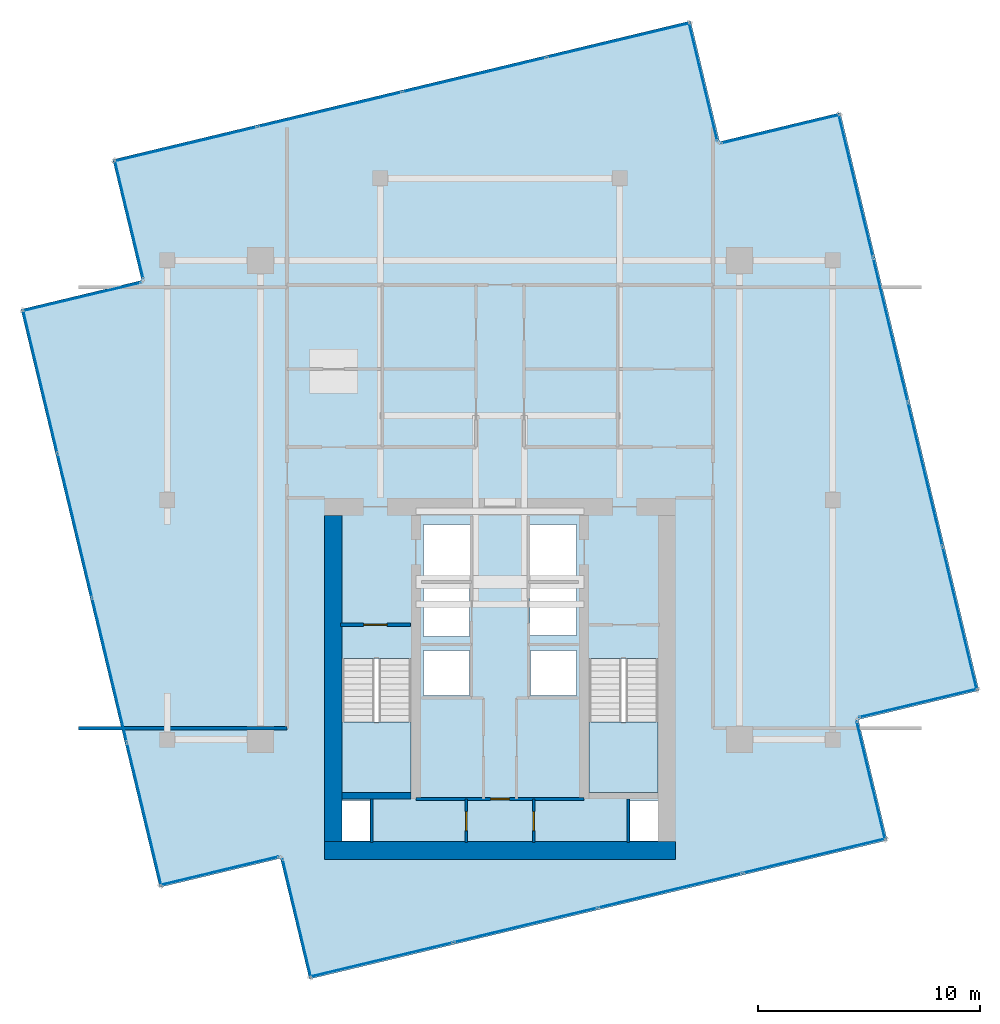
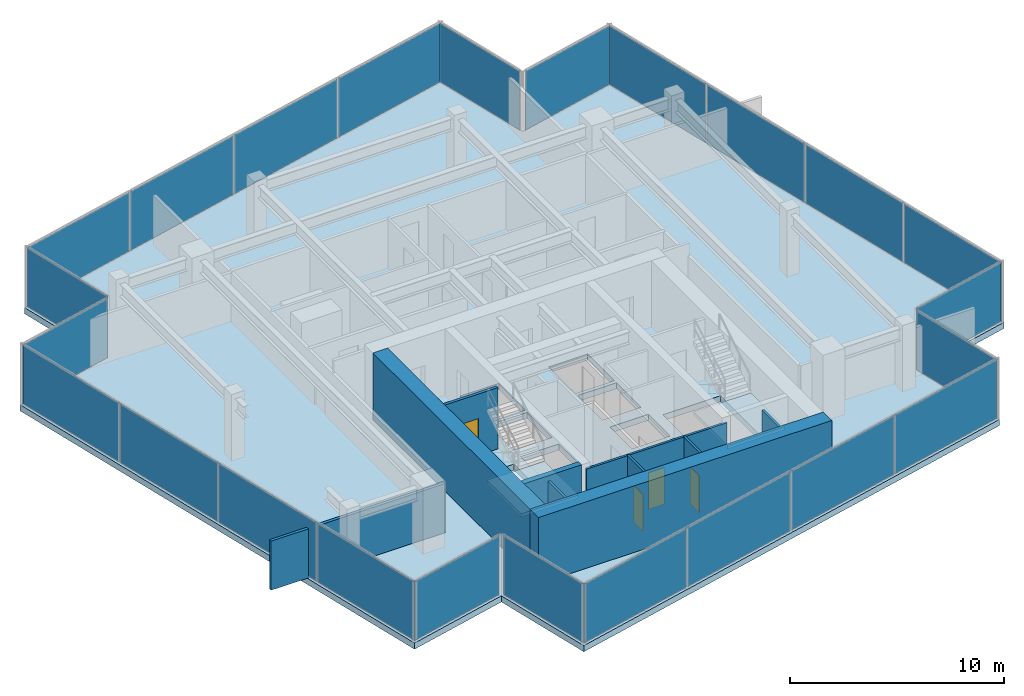
# One storey, part 16 of 19: 24 plates, 10 walls, 4 doors, 3 slabs, 4 openings, 14 elements without a shape of their own.
"""IFC4 building model written with IfcOpenShell, lengths in metres."""

from ifc_helpers import new_model, si_unit, direction, frame, frame_2d, origin, origin_2d, place, context, subcontext, project, spatial, polyline, rectangle, outline, extrude, source, transform, mapped, material, layer, layer_set, type_object, type_shapes, element, fill, aggregate, save


model = new_model("IFC4")

# Units and contexts
model_context = context("Model", 3, precision=1e-05, world=origin(), true_north=direction((0.0, 1.0)))
body_context = subcontext(model_context, "Body", "Model", "MODEL_VIEW")
ifc_project = project(units=[si_unit("LENGTHUNIT", "METRE"), si_unit("AREAUNIT", "SQUARE_METRE"), si_unit("VOLUMEUNIT", "CUBIC_METRE"), si_unit("PLANEANGLEUNIT", "RADIAN"), si_unit("MASSUNIT", "GRAM", prefix="KILO")], contexts=[model_context])

# Site, building, storey
site_placement = place(None, origin())
site = spatial("IfcSite", under=ifc_project, at=site_placement, CompositionType="ELEMENT")
building_placement = place(site_placement, origin())
building = spatial("IfcBuilding", under=site, at=building_placement, Name="Krantzveldt Concourse Tower", CompositionType="ELEMENT")
storey_placement = place(building_placement, frame((0.0, 0.0, 363.25)))
storey = spatial("IfcBuildingStorey", under=building, at=storey_placement, Name="L89", CompositionType="ELEMENT", Elevation=363.25)

# Stair, slab
ifc_material_1 = material(Name="Precast concrete C40/50", Category="concrete")
stair_type = type_object("IfcStairType", Name="STR-CORE-DOGLEG", PredefinedType="HALF_TURN_STAIR", material=ifc_material_1)
stair_1_placement = place(storey_placement, origin())
stair_1 = element("IfcStair", 1, at=stair_1_placement, inside=storey, type_object=stair_type, Name="L89 Protected Escape Stair ST-1", PredefinedType="HALF_TURN_STAIR")
ifc_layer_1 = layer(ifc_material_1, 0.199951171875, Name="Precast concrete C40/50", Category="concrete")
ifc_layer_set_1 = layer_set([ifc_layer_1], Name="Precast concrete C40/50 (SL-LANDING-200)")
slab_type_1 = type_object("IfcSlabType", Name="SL-LANDING-200", PredefinedType="LANDING", material=ifc_layer_set_1)
slab_1_placement = place(storey_placement, frame((0.0, 0.0, 1.699951171875)))
slab_1 = element("IfcSlab", 2, at=slab_1_placement, type_object=slab_type_1, Name="ST-1 landing 1", PredefinedType="LANDING", context=body_context, shape_type="SweptSolid", body=[
    extrude(outline(polyline([(28.8798828125, 16.699951171875), (28.8798828125, 13.52001953125), (31.97998046875, 13.52001953125), (31.97998046875, 16.699951171875), (28.8798828125, 16.699951171875)])), origin(), (0.0, 0.0, 1.0), 0.199951171875),
])
aggregate(stair_1, [slab_1])

stair_2_placement = place(storey_placement, origin())
stair_2 = element("IfcStair", 3, at=stair_2_placement, inside=storey, type_object=stair_type, Name="L89 Protected Escape Stair ST-2", PredefinedType="HALF_TURN_STAIR")
slab_2_placement = place(storey_placement, frame((0.0, 0.0, 1.699951171875)))
slab_2 = element("IfcSlab", 4, at=slab_2_placement, type_object=slab_type_1, Name="ST-2 landing 1", PredefinedType="LANDING", context=body_context, shape_type="SweptSolid", body=[
    extrude(outline(polyline([(40.02001953125, 16.699951171875), (40.02001953125, 13.52001953125), (43.1201171875, 13.52001953125), (43.1201171875, 16.699951171875), (40.02001953125, 16.699951171875)])), origin(), (0.0, 0.0, 1.0), 0.199951171875),
])
aggregate(stair_2, [slab_2])

# Slab
ifc_material_2 = material(Name="Concrete C40/50", Category="concrete")
ifc_layer_2 = layer(ifc_material_2, 0.300048828125, Name="Concrete C40/50", Category="concrete")
ifc_layer_set_2 = layer_set([ifc_layer_2], Name="Concrete C40/50 (SL-SL-CRN300)")
slab_type_2 = type_object("IfcSlabType", Name="SL-SL-CRN300", PredefinedType="FLOOR", material=ifc_layer_set_2)
slab_3_placement = place(storey_placement, frame((0.0, 0.0, -0.35009765625)))
element("IfcSlab", 5, at=slab_3_placement, inside=storey, type_object=slab_type_2, Name="SL-L89-BASE", PredefinedType="FLOOR", context=body_context, shape_type="SweptSolid", body=[
    extrude(outline(polyline([(45.901611328125, 42.85791015625), (44.59423828125, 48.30322265625), (18.53466796875, 42.046875), (19.842041015625, 36.6015625), (14.396728515625, 35.294189453125), (20.653076171875, 9.23486328125), (26.098388671875, 10.5419921875), (27.40576171875, 5.0966796875), (53.46533203125, 11.35302734375), (52.157958984375, 16.79833984375), (57.603271484375, 18.105712890625), (51.346923828125, 44.165283203125), (45.901611328125, 42.85791015625)]), holes=[polyline([(28.8798828125, 19.547607421875), (28.8798828125, 13.52001953125), (31.97998046875, 13.52001953125), (31.97998046875, 19.547607421875), (28.8798828125, 19.547607421875)]), polyline([(40.02001953125, 19.547607421875), (40.02001953125, 13.52001953125), (43.1201171875, 13.52001953125), (43.1201171875, 19.547607421875), (40.02001953125, 19.547607421875)]), polyline([(32.550048828125, 23.10009765625), (34.64990234375, 23.10009765625), (34.64990234375, 25.60009765625), (32.550048828125, 25.60009765625), (32.550048828125, 23.10009765625)]), polyline([(37.35009765625, 23.10009765625), (39.449951171875, 23.10009765625), (39.449951171875, 25.60009765625), (37.35009765625, 25.60009765625), (37.35009765625, 23.10009765625)]), polyline([(37.35009765625, 20.60009765625), (39.449951171875, 20.60009765625), (39.449951171875, 22.89990234375), (37.35009765625, 22.89990234375), (37.35009765625, 20.60009765625)]), polyline([(32.550048828125, 20.550048828125), (34.6201171875, 20.550048828125), (34.6201171875, 22.89990234375), (32.550048828125, 22.89990234375), (32.550048828125, 20.550048828125)]), polyline([(32.550048828125, 17.8798828125), (34.6201171875, 17.8798828125), (34.6201171875, 19.919921875), (32.550048828125, 19.919921875), (32.550048828125, 17.8798828125)]), polyline([(37.3798828125, 17.8798828125), (39.449951171875, 17.8798828125), (39.449951171875, 19.919921875), (37.3798828125, 19.919921875), (37.3798828125, 17.8798828125)]), polyline([(28.8798828125, 11.320068359375), (30.139892578125, 11.320068359375), (30.139892578125, 13.159912109375), (28.8798828125, 13.159912109375), (28.8798828125, 11.320068359375)]), polyline([(41.860107421875, 11.320068359375), (43.1201171875, 11.320068359375), (43.1201171875, 13.159912109375), (41.860107421875, 13.159912109375), (41.860107421875, 11.320068359375)])]), origin(), (0.0, 0.0, 1.0), 0.35009765625),
])

# Curtain wall, plate
ifc_material_3 = material(Name="Anodised aluminium 6063-T6", Category="aluminium")
curtain_wall_type = type_object("IfcCurtainWallType", Name="CW7", PredefinedType="USERDEFINED", material=ifc_material_3)
curtain_wall_1_placement = place(storey_placement, origin())
curtain_wall_1 = element("IfcCurtainWall", 6, at=curtain_wall_1_placement, inside=storey, type_object=curtain_wall_type, Name="CW-L89-BASE-00", ObjectType="UNITISED CURTAIN WALL", PredefinedType="USERDEFINED")
ifc_material_4 = material(Name="Bronze-tinted laminated low-E IGU glass", Category="glass")
ifc_layer_3 = layer(ifc_material_4, 0.031982421875, Name="Bronze-tinted laminated low-E IGU glass", Category="glass")
ifc_layer_set_3 = layer_set([ifc_layer_3], Name="Bronze-tinted laminated low-E IGU glass (CW-GLZ-32)")
plate_type = type_object("IfcPlateType", Name="CW-GLZ-32", PredefinedType="CURTAIN_PANEL", material=ifc_layer_set_3)
shared_shape_1 = source(origin(), body_context, "Body", "SweptSolid", [
    extrude(rectangle(XDim=5.4599609375, YDim=0.031982421875, at=origin_2d()), origin(), (0.0, 0.0, 1.0), 3.360107421875),
])
plate_1_placement = place(storey_placement, frame((45.160400390625, 45.5595703125, 0.06982421875), z_axis=(0.0, 0.0, 1.0), x_axis=(-0.233444339805, 0.97237016625, 0.0)))
plate_1 = element("IfcPlate", 7, at=plate_1_placement, type_object=plate_type, Name="CW-CRN panel 1.1", PredefinedType="CURTAIN_PANEL", context=body_context, shape_type="MappedRepresentation", body=[
    mapped(shared_shape_1, transform((0.0, 0.0, 0.0), x_axis=(1.0, 0.0, 0.0), y_axis=(0.0, 1.0, 0.0), z_axis=(0.0, 0.0, 1.0), scale=1.0)),
])
aggregate(curtain_wall_1, [plate_1])

curtain_wall_2_placement = place(storey_placement, origin())
curtain_wall_2 = element("IfcCurtainWall", 8, at=curtain_wall_2_placement, inside=storey, type_object=curtain_wall_type, Name="CW-L89-BASE-02", ObjectType="UNITISED CURTAIN WALL", PredefinedType="USERDEFINED")
plate_2_placement = place(storey_placement, frame((19.27587890625, 39.34521484375, 0.06982421875), z_axis=(0.0, 0.0, 1.0), x_axis=(0.233446433541, -0.972369663588, 0.0)))
plate_2 = element("IfcPlate", 9, at=plate_2_placement, type_object=plate_type, Name="CW-CRN panel 1.1", PredefinedType="CURTAIN_PANEL", context=body_context, shape_type="MappedRepresentation", body=[
    mapped(shared_shape_1, transform((0.0, 0.0, 0.0), x_axis=(1.0, 0.0, 0.0), y_axis=(0.0, 1.0, 0.0), z_axis=(0.0, 0.0, 1.0), scale=1.0)),
])
aggregate(curtain_wall_2, [plate_2])

curtain_wall_3_placement = place(storey_placement, origin())
curtain_wall_3 = element("IfcCurtainWall", 10, at=curtain_wall_3_placement, inside=storey, type_object=curtain_wall_type, Name="CW-L89-BASE-03", ObjectType="UNITISED CURTAIN WALL", PredefinedType="USERDEFINED")
plate_3_placement = place(storey_placement, frame((17.140380859375, 35.8603515625, 0.06982421875), z_axis=(0.0, 0.0, 1.0), x_axis=(-0.97237016625, -0.233444339805, 0.0)))
plate_3 = element("IfcPlate", 11, at=plate_3_placement, type_object=plate_type, Name="CW-CRN panel 1.1", PredefinedType="CURTAIN_PANEL", context=body_context, shape_type="MappedRepresentation", body=[
    mapped(shared_shape_1, transform((0.0, 0.0, 0.0), x_axis=(1.0, 0.0, 0.0), y_axis=(0.0, 1.0, 0.0), z_axis=(0.0, 0.0, 1.0), scale=1.0)),
])
aggregate(curtain_wall_3, [plate_3])

curtain_wall_4_placement = place(storey_placement, origin())
curtain_wall_4 = element("IfcCurtainWall", 12, at=curtain_wall_4_placement, inside=storey, type_object=curtain_wall_type, Name="CW-L89-BASE-05", ObjectType="UNITISED CURTAIN WALL", PredefinedType="USERDEFINED")
plate_4_placement = place(storey_placement, frame((23.354736328125, 9.975830078125, 0.06982421875), z_axis=(0.0, 0.0, 1.0), x_axis=(0.972369663588, 0.233446433541, 0.0)))
plate_4 = element("IfcPlate", 13, at=plate_4_placement, type_object=plate_type, Name="CW-CRN panel 1.1", PredefinedType="CURTAIN_PANEL", context=body_context, shape_type="MappedRepresentation", body=[
    mapped(shared_shape_1, transform((0.0, 0.0, 0.0), x_axis=(1.0, 0.0, 0.0), y_axis=(0.0, 1.0, 0.0), z_axis=(0.0, 0.0, 1.0), scale=1.0)),
])
aggregate(curtain_wall_4, [plate_4])

curtain_wall_5_placement = place(storey_placement, origin())
curtain_wall_5 = element("IfcCurtainWall", 14, at=curtain_wall_5_placement, inside=storey, type_object=curtain_wall_type, Name="CW-L89-BASE-06", ObjectType="UNITISED CURTAIN WALL", PredefinedType="USERDEFINED")
plate_5_placement = place(storey_placement, frame((26.839599609375, 7.84033203125, 0.06982421875), z_axis=(0.0, 0.0, 1.0), x_axis=(0.233444339805, -0.97237016625, 0.0)))
plate_5 = element("IfcPlate", 15, at=plate_5_placement, type_object=plate_type, Name="CW-CRN panel 1.1", PredefinedType="CURTAIN_PANEL", context=body_context, shape_type="MappedRepresentation", body=[
    mapped(shared_shape_1, transform((0.0, 0.0, 0.0), x_axis=(1.0, 0.0, 0.0), y_axis=(0.0, 1.0, 0.0), z_axis=(0.0, 0.0, 1.0), scale=1.0)),
])
aggregate(curtain_wall_5, [plate_5])

curtain_wall_6_placement = place(storey_placement, origin())
curtain_wall_6 = element("IfcCurtainWall", 16, at=curtain_wall_6_placement, inside=storey, type_object=curtain_wall_type, Name="CW-L89-BASE-08", ObjectType="UNITISED CURTAIN WALL", PredefinedType="USERDEFINED")
plate_6_placement = place(storey_placement, frame((52.72412109375, 14.0546875, 0.06982421875), z_axis=(0.0, 0.0, 1.0), x_axis=(-0.233446433541, 0.972369663588, 0.0)))
plate_6 = element("IfcPlate", 17, at=plate_6_placement, type_object=plate_type, Name="CW-CRN panel 1.1", PredefinedType="CURTAIN_PANEL", context=body_context, shape_type="MappedRepresentation", body=[
    mapped(shared_shape_1, transform((0.0, 0.0, 0.0), x_axis=(1.0, 0.0, 0.0), y_axis=(0.0, 1.0, 0.0), z_axis=(0.0, 0.0, 1.0), scale=1.0)),
])
aggregate(curtain_wall_6, [plate_6])

curtain_wall_7_placement = place(storey_placement, origin())
curtain_wall_7 = element("IfcCurtainWall", 18, at=curtain_wall_7_placement, inside=storey, type_object=curtain_wall_type, Name="CW-L89-BASE-09", ObjectType="UNITISED CURTAIN WALL", PredefinedType="USERDEFINED")
plate_7_placement = place(storey_placement, frame((54.859619140625, 17.53955078125, 0.06982421875), z_axis=(0.0, 0.0, 1.0), x_axis=(0.97237016625, 0.233444339805, 0.0)))
plate_7 = element("IfcPlate", 19, at=plate_7_placement, type_object=plate_type, Name="CW-CRN panel 1.1", PredefinedType="CURTAIN_PANEL", context=body_context, shape_type="MappedRepresentation", body=[
    mapped(shared_shape_1, transform((0.0, 0.0, 0.0), x_axis=(1.0, 0.0, 0.0), y_axis=(0.0, 1.0, 0.0), z_axis=(0.0, 0.0, 1.0), scale=1.0)),
])
aggregate(curtain_wall_7, [plate_7])

curtain_wall_8_placement = place(storey_placement, origin())
curtain_wall_8 = element("IfcCurtainWall", 20, at=curtain_wall_8_placement, inside=storey, type_object=curtain_wall_type, Name="CW-L89-BASE-11", ObjectType="UNITISED CURTAIN WALL", PredefinedType="USERDEFINED")
plate_8_placement = place(storey_placement, frame((48.645263671875, 43.424072265625, 0.06982421875), z_axis=(0.0, 0.0, 1.0), x_axis=(-0.972369663588, -0.233446433541, 0.0)))
plate_8 = element("IfcPlate", 21, at=plate_8_placement, type_object=plate_type, Name="CW-CRN panel 1.1", PredefinedType="CURTAIN_PANEL", context=body_context, shape_type="MappedRepresentation", body=[
    mapped(shared_shape_1, transform((0.0, 0.0, 0.0), x_axis=(1.0, 0.0, 0.0), y_axis=(0.0, 1.0, 0.0), z_axis=(0.0, 0.0, 1.0), scale=1.0)),
])
aggregate(curtain_wall_8, [plate_8])

# Curtain wall, plates
curtain_wall_9_placement = place(storey_placement, origin())
curtain_wall_9 = element("IfcCurtainWall", 22, at=curtain_wall_9_placement, inside=storey, type_object=curtain_wall_type, Name="CW-L89-BASE-01", ObjectType="UNITISED CURTAIN WALL", PredefinedType="USERDEFINED")
shared_shape_2 = source(origin(), body_context, "Body", "SweptSolid", [
    extrude(rectangle(XDim=6.594970703125, YDim=0.031982421875, at=origin_2d()), origin(), (0.0, 0.0, 1.0), 3.360107421875),
])
plate_9_placement = place(storey_placement, frame((41.3408203125, 47.429443359375, 0.06982421875), z_axis=(0.0, 0.0, 1.0), x_axis=(-0.972369896884, -0.233445461796, 0.0)))
plate_9 = element("IfcPlate", 23, at=plate_9_placement, type_object=plate_type, Name="CW-CRN panel 1.1", PredefinedType="CURTAIN_PANEL", context=body_context, shape_type="MappedRepresentation", body=[
    mapped(shared_shape_2, transform((0.0, 0.0, 0.0), x_axis=(1.0, 0.0, 0.0), y_axis=(0.0, 1.0, 0.0), z_axis=(0.0, 0.0, 1.0), scale=1.0)),
])
plate_10_placement = place(storey_placement, frame((21.830322265625, 42.745361328125, 0.06982421875), z_axis=(0.0, 0.0, 1.0), x_axis=(-0.972369896884, -0.233445461796, 0.0)))
plate_10 = element("IfcPlate", 24, at=plate_10_placement, type_object=plate_type, Name="CW-CRN panel 4.1", PredefinedType="CURTAIN_PANEL", context=body_context, shape_type="MappedRepresentation", body=[
    mapped(shared_shape_2, transform((0.0, 0.0, 0.0), x_axis=(1.0, 0.0, 0.0), y_axis=(0.0, 1.0, 0.0), z_axis=(0.0, 0.0, 1.0), scale=1.0)),
])

curtain_wall_10_placement = place(storey_placement, origin())
curtain_wall_10 = element("IfcCurtainWall", 25, at=curtain_wall_10_placement, inside=storey, type_object=curtain_wall_type, Name="CW-L89-BASE-04", ObjectType="UNITISED CURTAIN WALL", PredefinedType="USERDEFINED")
plate_11_placement = place(storey_placement, frame((15.2705078125, 32.040771484375, 0.06982421875), z_axis=(0.0, 0.0, 1.0), x_axis=(0.233445461796, -0.972369896884, 0.0)))
plate_11 = element("IfcPlate", 26, at=plate_11_placement, type_object=plate_type, Name="CW-CRN panel 1.1", PredefinedType="CURTAIN_PANEL", context=body_context, shape_type="MappedRepresentation", body=[
    mapped(shared_shape_2, transform((0.0, 0.0, 0.0), x_axis=(1.0, 0.0, 0.0), y_axis=(0.0, 1.0, 0.0), z_axis=(0.0, 0.0, 1.0), scale=1.0)),
])
plate_12_placement = place(storey_placement, frame((19.95458984375, 12.5302734375, 0.06982421875), z_axis=(0.0, 0.0, 1.0), x_axis=(0.233445461796, -0.972369896884, 0.0)))
plate_12 = element("IfcPlate", 27, at=plate_12_placement, type_object=plate_type, Name="CW-CRN panel 4.1", PredefinedType="CURTAIN_PANEL", context=body_context, shape_type="MappedRepresentation", body=[
    mapped(shared_shape_2, transform((0.0, 0.0, 0.0), x_axis=(1.0, 0.0, 0.0), y_axis=(0.0, 1.0, 0.0), z_axis=(0.0, 0.0, 1.0), scale=1.0)),
])

curtain_wall_11_placement = place(storey_placement, origin())
curtain_wall_11 = element("IfcCurtainWall", 28, at=curtain_wall_11_placement, inside=storey, type_object=curtain_wall_type, Name="CW-L89-BASE-07", ObjectType="UNITISED CURTAIN WALL", PredefinedType="USERDEFINED")
plate_13_placement = place(storey_placement, frame((30.6591796875, 5.970458984375, 0.06982421875), z_axis=(0.0, 0.0, 1.0), x_axis=(0.972369896884, 0.233445461796, 0.0)))
plate_13 = element("IfcPlate", 29, at=plate_13_placement, type_object=plate_type, Name="CW-CRN panel 1.1", PredefinedType="CURTAIN_PANEL", context=body_context, shape_type="MappedRepresentation", body=[
    mapped(shared_shape_2, transform((0.0, 0.0, 0.0), x_axis=(1.0, 0.0, 0.0), y_axis=(0.0, 1.0, 0.0), z_axis=(0.0, 0.0, 1.0), scale=1.0)),
])
plate_14_placement = place(storey_placement, frame((50.169677734375, 10.654541015625, 0.06982421875), z_axis=(0.0, 0.0, 1.0), x_axis=(0.972369896884, 0.233445461796, 0.0)))
plate_14 = element("IfcPlate", 30, at=plate_14_placement, type_object=plate_type, Name="CW-CRN panel 4.1", PredefinedType="CURTAIN_PANEL", context=body_context, shape_type="MappedRepresentation", body=[
    mapped(shared_shape_2, transform((0.0, 0.0, 0.0), x_axis=(1.0, 0.0, 0.0), y_axis=(0.0, 1.0, 0.0), z_axis=(0.0, 0.0, 1.0), scale=1.0)),
])

curtain_wall_12_placement = place(storey_placement, origin())
curtain_wall_12 = element("IfcCurtainWall", 31, at=curtain_wall_12_placement, inside=storey, type_object=curtain_wall_type, Name="CW-L89-BASE-10", ObjectType="UNITISED CURTAIN WALL", PredefinedType="USERDEFINED")
plate_15_placement = place(storey_placement, frame((56.7294921875, 21.359130859375, 0.06982421875), z_axis=(0.0, 0.0, 1.0), x_axis=(-0.233445461796, 0.972369896884, 0.0)))
plate_15 = element("IfcPlate", 32, at=plate_15_placement, type_object=plate_type, Name="CW-CRN panel 1.1", PredefinedType="CURTAIN_PANEL", context=body_context, shape_type="MappedRepresentation", body=[
    mapped(shared_shape_2, transform((0.0, 0.0, 0.0), x_axis=(1.0, 0.0, 0.0), y_axis=(0.0, 1.0, 0.0), z_axis=(0.0, 0.0, 1.0), scale=1.0)),
])
plate_16_placement = place(storey_placement, frame((52.04541015625, 40.869873046875, 0.06982421875), z_axis=(0.0, 0.0, 1.0), x_axis=(-0.233445461796, 0.972369896884, 0.0)))
plate_16 = element("IfcPlate", 33, at=plate_16_placement, type_object=plate_type, Name="CW-CRN panel 4.1", PredefinedType="CURTAIN_PANEL", context=body_context, shape_type="MappedRepresentation", body=[
    mapped(shared_shape_2, transform((0.0, 0.0, 0.0), x_axis=(1.0, 0.0, 0.0), y_axis=(0.0, 1.0, 0.0), z_axis=(0.0, 0.0, 1.0), scale=1.0)),
])

# Plate
shared_shape_3 = source(origin(), body_context, "Body", "SweptSolid", [
    extrude(rectangle(XDim=6.6298828125, YDim=0.031982421875, at=origin_2d()), origin(), (0.0, 0.0, 1.0), 3.360107421875),
])
type_shapes(plate_type, [shared_shape_1, shared_shape_2, shared_shape_3])
plate_17_placement = place(storey_placement, frame((34.843017578125, 45.86962890625, 0.06982421875), z_axis=(0.0, 0.0, 1.0), x_axis=(-0.972369896884, -0.233445461796, 0.0)))
plate_17 = element("IfcPlate", 34, at=plate_17_placement, type_object=plate_type, Name="CW-CRN panel 2.1", PredefinedType="CURTAIN_PANEL", context=body_context, shape_type="MappedRepresentation", body=[
    mapped(shared_shape_3, transform((0.0, 0.0, 0.0), x_axis=(1.0, 0.0, 0.0), y_axis=(0.0, 1.0, 0.0), z_axis=(0.0, 0.0, 1.0), scale=1.0)),
])

plate_18_placement = place(storey_placement, frame((28.328125, 44.305419921875, 0.06982421875), z_axis=(0.0, 0.0, 1.0), x_axis=(-0.972369896884, -0.233445461796, 0.0)))
plate_18 = element("IfcPlate", 35, at=plate_18_placement, type_object=plate_type, Name="CW-CRN panel 3.1", PredefinedType="CURTAIN_PANEL", context=body_context, shape_type="MappedRepresentation", body=[
    mapped(shared_shape_3, transform((0.0, 0.0, 0.0), x_axis=(1.0, 0.0, 0.0), y_axis=(0.0, 1.0, 0.0), z_axis=(0.0, 0.0, 1.0), scale=1.0)),
])

aggregate(curtain_wall_9, [plate_9, plate_17, plate_18, plate_10])

plate_19_placement = place(storey_placement, frame((16.830322265625, 25.54296875, 0.06982421875), z_axis=(0.0, 0.0, 1.0), x_axis=(0.233445461796, -0.972369896884, 0.0)))
plate_19 = element("IfcPlate", 36, at=plate_19_placement, type_object=plate_type, Name="CW-CRN panel 2.1", PredefinedType="CURTAIN_PANEL", context=body_context, shape_type="MappedRepresentation", body=[
    mapped(shared_shape_3, transform((0.0, 0.0, 0.0), x_axis=(1.0, 0.0, 0.0), y_axis=(0.0, 1.0, 0.0), z_axis=(0.0, 0.0, 1.0), scale=1.0)),
])

plate_20_placement = place(storey_placement, frame((18.39453125, 19.028076171875, 0.06982421875), z_axis=(0.0, 0.0, 1.0), x_axis=(0.233445461796, -0.972369896884, 0.0)))
plate_20 = element("IfcPlate", 37, at=plate_20_placement, type_object=plate_type, Name="CW-CRN panel 3.1", PredefinedType="CURTAIN_PANEL", context=body_context, shape_type="MappedRepresentation", body=[
    mapped(shared_shape_3, transform((0.0, 0.0, 0.0), x_axis=(1.0, 0.0, 0.0), y_axis=(0.0, 1.0, 0.0), z_axis=(0.0, 0.0, 1.0), scale=1.0)),
])

aggregate(curtain_wall_10, [plate_11, plate_19, plate_20, plate_12])

plate_21_placement = place(storey_placement, frame((37.156982421875, 7.530517578125, 0.06982421875), z_axis=(0.0, 0.0, 1.0), x_axis=(0.972369896884, 0.233445461796, 0.0)))
plate_21 = element("IfcPlate", 38, at=plate_21_placement, type_object=plate_type, Name="CW-CRN panel 2.1", PredefinedType="CURTAIN_PANEL", context=body_context, shape_type="MappedRepresentation", body=[
    mapped(shared_shape_3, transform((0.0, 0.0, 0.0), x_axis=(1.0, 0.0, 0.0), y_axis=(0.0, 1.0, 0.0), z_axis=(0.0, 0.0, 1.0), scale=1.0)),
])

plate_22_placement = place(storey_placement, frame((43.671875, 9.094482421875, 0.06982421875), z_axis=(0.0, 0.0, 1.0), x_axis=(0.972369896884, 0.233445461796, 0.0)))
plate_22 = element("IfcPlate", 39, at=plate_22_placement, type_object=plate_type, Name="CW-CRN panel 3.1", PredefinedType="CURTAIN_PANEL", context=body_context, shape_type="MappedRepresentation", body=[
    mapped(shared_shape_3, transform((0.0, 0.0, 0.0), x_axis=(1.0, 0.0, 0.0), y_axis=(0.0, 1.0, 0.0), z_axis=(0.0, 0.0, 1.0), scale=1.0)),
])

aggregate(curtain_wall_11, [plate_13, plate_21, plate_22, plate_14])

plate_23_placement = place(storey_placement, frame((55.169677734375, 27.85693359375, 0.06982421875), z_axis=(0.0, 0.0, 1.0), x_axis=(-0.233445461796, 0.972369896884, 0.0)))
plate_23 = element("IfcPlate", 40, at=plate_23_placement, type_object=plate_type, Name="CW-CRN panel 2.1", PredefinedType="CURTAIN_PANEL", context=body_context, shape_type="MappedRepresentation", body=[
    mapped(shared_shape_3, transform((0.0, 0.0, 0.0), x_axis=(1.0, 0.0, 0.0), y_axis=(0.0, 1.0, 0.0), z_axis=(0.0, 0.0, 1.0), scale=1.0)),
])

plate_24_placement = place(storey_placement, frame((53.60546875, 34.371826171875, 0.06982421875), z_axis=(0.0, 0.0, 1.0), x_axis=(-0.233445461796, 0.972369896884, 0.0)))
plate_24 = element("IfcPlate", 41, at=plate_24_placement, type_object=plate_type, Name="CW-CRN panel 3.1", PredefinedType="CURTAIN_PANEL", context=body_context, shape_type="MappedRepresentation", body=[
    mapped(shared_shape_3, transform((0.0, 0.0, 0.0), x_axis=(1.0, 0.0, 0.0), y_axis=(0.0, 1.0, 0.0), z_axis=(0.0, 0.0, 1.0), scale=1.0)),
])

aggregate(curtain_wall_12, [plate_15, plate_23, plate_24, plate_16])

# Wall, opening, door
ifc_material_5 = material(Name="Fire-rated gypsum plasterboard on steel stud", Category="steel")
ifc_layer_4 = layer(ifc_material_5, 0.1201171875, Name="Fire-rated gypsum plasterboard on steel stud", Category="steel")
ifc_layer_set_4 = layer_set([ifc_layer_4], Name="Fire-rated gypsum plasterboard on steel stud (WL-PART-120)")
wall_type_1 = type_object("IfcWallType", Name="WL-PART-120", PredefinedType="PARTITIONING", material=ifc_layer_set_4)
wall_1_placement = place(storey_placement, frame((32.2099609375, 13.219970703125, 0.0), z_axis=(0.0, 0.0, 1.0), x_axis=(1.0, 0.0, 0.0)))
wall_1 = element("IfcWall", 42, at=wall_1_placement, inside=storey, type_object=wall_type_1, Name="WP-L89-CS2H", PredefinedType="PARTITIONING", context=body_context, shape_type="SweptSolid", body=[
    extrude(rectangle(XDim=7.580078125, YDim=0.1201171875, at=frame_2d((3.7900390625, 0.0))), origin(), (0.0, 0.0, 1.0), 3.5),
])
opening_1_placement = place(wall_1_placement, frame((3.364990234375, 0.0, 0.0)))
opening_1 = element("IfcOpeningElement", 43, at=opening_1_placement, cuts=wall_1, Name="Opening D-IN085", PredefinedType="OPENING", context=body_context, shape_type="SweptSolid", body=[
    extrude(rectangle(XDim=0.85009765625, YDim=2.10009765625, at=frame_2d((0.425048828125, 1.050048828125))), frame((0.0, 0.070068359375, 0.0), z_axis=(0.0, -1.0, 0.0), x_axis=(1.0, 0.0, 0.0)), (0.0, 0.0, 1.0), 0.14013671875),
])
ifc_material_6 = material(Name="Hardwood timber", Category="wood")
door_type_1 = type_object("IfcDoorType", Name="DR-INT-850", OperationType="SINGLE_SWING_LEFT", PredefinedType="DOOR", material=ifc_material_6)
door_1_placement = place(opening_1_placement, origin())
door_1 = element("IfcDoor", 44, at=door_1_placement, inside=storey, type_object=door_type_1, Name="DR-L89-LLBS", OperationType="SINGLE_SWING_RIGHT", OverallHeight=2.10009765625, OverallWidth=0.85009765625, PredefinedType="DOOR", context=body_context, shape_type="SweptSolid", body=[
    extrude(rectangle(XDim=0.85009765625, YDim=2.10009765625, at=frame_2d((0.425048828125, 1.050048828125))), frame((0.0, 0.02490234375, 0.0), z_axis=(0.0, -1.0, 0.0), x_axis=(1.0, 0.0, 0.0)), (0.0, 0.0, 1.0), 0.050048828125),
])
fill(opening_1, door_1)

wall_2_placement = place(storey_placement, frame((34.47998046875, 11.25, 0.0), z_axis=(0.0, 0.0, 1.0), x_axis=(0.0, 1.0, 0.0)))
wall_2 = element("IfcWall", 45, at=wall_2_placement, inside=storey, type_object=wall_type_1, Name="WP-L89-CSB-VL", PredefinedType="PARTITIONING", context=body_context, shape_type="SweptSolid", body=[
    extrude(rectangle(XDim=1.969970703125, YDim=0.1201171875, at=frame_2d((0.98486328125, 0.0))), origin(), (0.0, 0.0, 1.0), 3.5),
])
opening_2_placement = place(wall_2_placement, frame((0.544921875, 0.0, 0.0)))
opening_2 = element("IfcOpeningElement", 46, at=opening_2_placement, cuts=wall_2, Name="Opening D-IN085", PredefinedType="OPENING", context=body_context, shape_type="SweptSolid", body=[
    extrude(rectangle(XDim=0.85009765625, YDim=2.10009765625, at=frame_2d((0.425048828125, 1.050048828125))), frame((0.0, 0.070068359375, 0.0), z_axis=(0.0, -1.0, 0.0), x_axis=(1.0, 0.0, 0.0)), (0.0, 0.0, 1.0), 0.14013671875),
])
door_2_placement = place(opening_2_placement, origin())
door_2 = element("IfcDoor", 47, at=door_2_placement, inside=storey, type_object=door_type_1, Name="DR-L89-CSB1", OperationType="SINGLE_SWING_LEFT", OverallHeight=2.10009765625, OverallWidth=0.85009765625, PredefinedType="DOOR", context=body_context, shape_type="SweptSolid", body=[
    extrude(rectangle(XDim=0.85009765625, YDim=2.10009765625, at=frame_2d((0.425048828125, 1.050048828125))), frame((0.0, 0.02490234375, 0.0), z_axis=(0.0, -1.0, 0.0), x_axis=(1.0, 0.0, 0.0)), (0.0, 0.0, 1.0), 0.050048828125),
])
fill(opening_2, door_2)

wall_3_placement = place(storey_placement, frame((37.52001953125, 11.25, 0.0), z_axis=(0.0, 0.0, 1.0), x_axis=(0.0, 1.0, 0.0)))
wall_3 = element("IfcWall", 48, at=wall_3_placement, inside=storey, type_object=wall_type_1, Name="WP-L89-CSB-VR", PredefinedType="PARTITIONING", context=body_context, shape_type="SweptSolid", body=[
    extrude(rectangle(XDim=1.969970703125, YDim=0.1201171875, at=frame_2d((0.98486328125, 0.0))), origin(), (0.0, 0.0, 1.0), 3.5),
])
opening_3_placement = place(wall_3_placement, frame((0.544921875, 0.0, 0.0)))
opening_3 = element("IfcOpeningElement", 49, at=opening_3_placement, cuts=wall_3, Name="Opening D-IN085", PredefinedType="OPENING", context=body_context, shape_type="SweptSolid", body=[
    extrude(rectangle(XDim=0.85009765625, YDim=2.10009765625, at=frame_2d((0.425048828125, 1.050048828125))), frame((0.0, 0.070068359375, 0.0), z_axis=(0.0, -1.0, 0.0), x_axis=(1.0, 0.0, 0.0)), (0.0, 0.0, 1.0), 0.14013671875),
])
door_3_placement = place(opening_3_placement, origin())
door_3 = element("IfcDoor", 50, at=door_3_placement, inside=storey, type_object=door_type_1, Name="DR-L89-CSB2", OperationType="SINGLE_SWING_RIGHT", OverallHeight=2.10009765625, OverallWidth=0.85009765625, PredefinedType="DOOR", context=body_context, shape_type="SweptSolid", body=[
    extrude(rectangle(XDim=0.85009765625, YDim=2.10009765625, at=frame_2d((0.425048828125, 1.050048828125))), frame((0.0, 0.02490234375, 0.0), z_axis=(0.0, -1.0, 0.0), x_axis=(1.0, 0.0, 0.0)), (0.0, 0.0, 1.0), 0.050048828125),
])
fill(opening_3, door_3)

# Walls
ifc_layer_5 = layer(ifc_material_5, 0.139892578125, Name="Fire-rated gypsum plasterboard on steel stud", Category="steel")
ifc_layer_set_5 = layer_set([ifc_layer_5], Name="Fire-rated gypsum plasterboard on steel stud (WL-PART-FR140)")
wall_type_2 = type_object("IfcWallType", Name="WL-PART-FR140", PredefinedType="PARTITIONING", material=ifc_layer_set_5)
for number, where, z_axis, x_axis, name in (
    (51, (30.219970703125, 11.25, 0.0), (0.0, 0.0, 1.0), (0.0, 1.0, 0.0), "WP-L89-RSW"),
    (52, (41.780029296875, 11.25, 0.0), (0.0, 0.0, 1.0), (0.0, 1.0, 0.0), "WP-L89-RSE"),
):
    element("IfcWall", number, at=place(storey_placement, frame(where, z_axis=z_axis, x_axis=x_axis)), inside=storey, type_object=wall_type_2, Name=name, PredefinedType="PARTITIONING", context=body_context, shape_type="SweptSolid", body=[
        extrude(rectangle(XDim=1.969970703125, YDim=0.1201171875, at=frame_2d((0.98486328125, 0.0))), origin(), (0.0, 0.0, 1.0), 3.5),
    ])

# Wall, opening, door
ifc_layer_6 = layer(ifc_material_5, 0.159912109375, Name="Fire-rated gypsum plasterboard on steel stud", Category="steel")
ifc_layer_set_6 = layer_set([ifc_layer_6], Name="Fire-rated gypsum plasterboard on steel stud (WL-PART-FR160)")
wall_type_3 = type_object("IfcWallType", Name="WL-PART-FR160", PredefinedType="PARTITIONING", material=ifc_layer_set_6)
wall_4_placement = place(storey_placement, frame((28.800048828125, 21.080078125, 0.0), z_axis=(0.0, 0.0, 1.0), x_axis=(1.0, 0.0, 0.0)))
wall_4 = element("IfcWall", 53, at=wall_4_placement, inside=storey, type_object=wall_type_3, Name="WP-L89-ST1", PredefinedType="PARTITIONING", context=body_context, shape_type="SweptSolid", body=[
    extrude(rectangle(XDim=3.159912109375, YDim=0.159912109375, at=frame_2d((1.580078125, 0.0))), origin(), (0.0, 0.0, 1.0), 3.5),
])
opening_4_placement = place(wall_4_placement, frame((1.054931640625, 0.0, 0.0)))
opening_4 = element("IfcOpeningElement", 54, at=opening_4_placement, cuts=wall_4, Name="Opening D-FD105", PredefinedType="OPENING", context=body_context, shape_type="SweptSolid", body=[
    extrude(rectangle(XDim=1.050048828125, YDim=2.10009765625, at=frame_2d((0.52490234375, 1.050048828125))), frame((0.0, 0.08984375, 0.0), z_axis=(0.0, -1.0, 0.0), x_axis=(1.0, 0.0, 0.0)), (0.0, 0.0, 1.0), 0.179931640625),
])
ifc_material_7 = material(Name="Galvanised steel", Category="steel")
door_type_2 = type_object("IfcDoorType", Name="DR-FD120-1050", OperationType="SINGLE_SWING_LEFT", PredefinedType="DOOR", material=ifc_material_7)
door_4_placement = place(opening_4_placement, origin())
door_4 = element("IfcDoor", 55, at=door_4_placement, inside=storey, type_object=door_type_2, Name="DR-L89-ST1", OperationType="SINGLE_SWING_RIGHT", OverallHeight=2.10009765625, OverallWidth=1.050048828125, PredefinedType="DOOR", context=body_context, shape_type="SweptSolid", body=[
    extrude(rectangle(XDim=1.050048828125, YDim=2.10009765625, at=frame_2d((0.52490234375, 1.050048828125))), frame((0.0, 0.02490234375, 0.0), z_axis=(0.0, -1.0, 0.0), x_axis=(1.0, 0.0, 0.0)), (0.0, 0.0, 1.0), 0.050048828125),
])
fill(opening_4, door_4)

# Walls
wall_5_placement = place(storey_placement, frame((17.0, 16.39990234375, 0.0), z_axis=(0.0, 0.0, 1.0), x_axis=(1.0, 0.0, 0.0)))
element("IfcWall", 56, at=wall_5_placement, inside=storey, type_object=wall_type_3, Name="WP-L89-RWS", PredefinedType="PARTITIONING", context=body_context, shape_type="SweptSolid", body=[
    extrude(rectangle(XDim=9.39990234375, YDim=0.159912109375, at=frame_2d((4.699951171875, 0.0))), origin(), (0.0, 0.0, 1.0), 2.800048828125),
])
ifc_material_8 = material(Name="Concrete C50/60", Category="concrete")
ifc_layer_7 = layer(ifc_material_8, 0.300048828125, Name="Concrete C50/60", Category="concrete")
ifc_layer_set_7 = layer_set([ifc_layer_7], Name="Concrete C50/60 (WL-SHEAR-300)")
wall_type_4 = type_object("IfcWallType", Name="WL-SHEAR-300", PredefinedType="SHEAR", material=ifc_layer_set_7)
wall_6_placement = place(storey_placement, frame((28.8798828125, 13.3701171875, 0.0), z_axis=(0.0, 0.0, 1.0), x_axis=(1.0, 0.0, 0.0)))
element("IfcWall", 57, at=wall_6_placement, inside=storey, type_object=wall_type_4, Name="CW-L89-ST1S", PredefinedType="SHEAR", context=body_context, shape_type="SweptSolid", body=[
    extrude(rectangle(XDim=3.10009765625, YDim=0.300048828125, at=frame_2d((1.550048828125, 0.0))), origin(), (0.0, 0.0, 1.0), 3.800048828125),
])
ifc_material_9 = material(Name="Concrete C60/75", Category="concrete")
ifc_layer_8 = layer(ifc_material_9, 0.800048828125, Name="Concrete C60/75", Category="concrete")
ifc_layer_set_8 = layer_set([ifc_layer_8], Name="Concrete C60/75 (WL-SHEAR-800)")
wall_type_5 = type_object("IfcWallType", Name="WL-SHEAR-800", PredefinedType="SHEAR", material=ifc_layer_set_8)
wall_7_placement = place(storey_placement, frame((28.080078125, 10.89990234375, 0.0), z_axis=(0.0, 0.0, 1.0), x_axis=(1.0, 0.0, 0.0)))
element("IfcWall", 58, at=wall_7_placement, inside=storey, type_object=wall_type_5, Name="CW-L89-S", PredefinedType="SHEAR", context=body_context, shape_type="SweptSolid", body=[
    extrude(rectangle(XDim=15.83984375, YDim=0.800048828125, at=frame_2d((7.919921875, 0.0))), origin(), (0.0, 0.0, 1.0), 3.800048828125),
])
wall_8_placement = place(storey_placement, frame((28.47998046875, 11.300048828125, 0.0), z_axis=(0.0, 0.0, 1.0), x_axis=(0.0, 1.0, 0.0)))
element("IfcWall", 59, at=wall_8_placement, inside=storey, type_object=wall_type_5, Name="CW-L89-W", PredefinedType="SHEAR", context=body_context, shape_type="SweptSolid", body=[
    extrude(rectangle(XDim=14.699951171875, YDim=0.800048828125, at=frame_2d((7.35009765625, 0.0))), origin(), (0.0, 0.0, 1.0), 3.800048828125),
])

save(model, "model.ifc")
